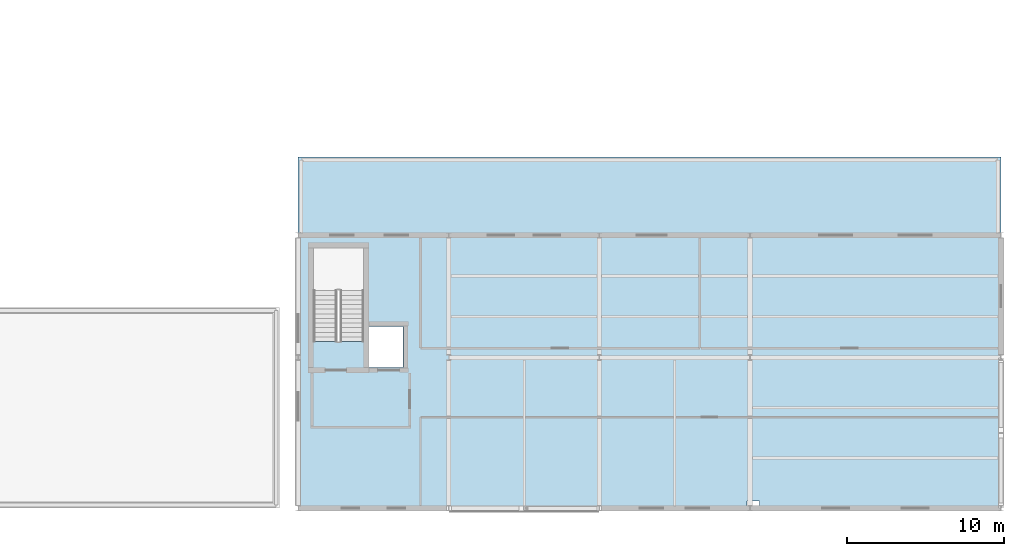
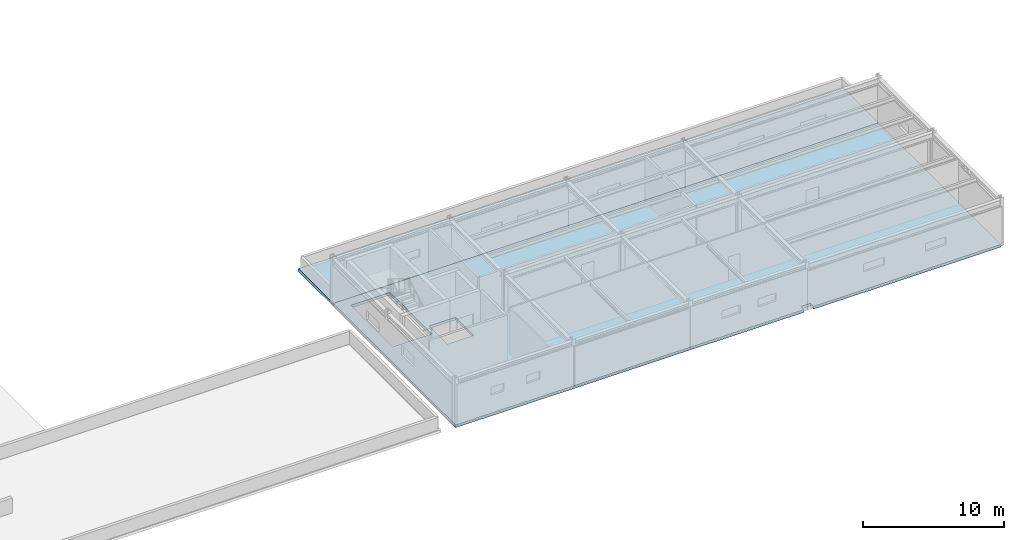
# One storey, part 63 of 88: 2 slabs.
"""IFC4 building model written with IfcOpenShell, lengths in metres."""

from ifc_helpers import new_model, si_unit, direction, frame, origin, place, context, subcontext, project, spatial, polyline, outline, extrude, material, layer, layer_set, type_object, element, save


model = new_model("IFC4")

# Units and contexts
model_context = context("Model", 3, precision=1e-05, world=origin(), true_north=direction((0.0, 1.0)))
body_context = subcontext(model_context, "Body", "Model", "MODEL_VIEW")
ifc_project = project(units=[si_unit("LENGTHUNIT", "METRE"), si_unit("AREAUNIT", "SQUARE_METRE"), si_unit("VOLUMEUNIT", "CUBIC_METRE"), si_unit("PLANEANGLEUNIT", "RADIAN"), si_unit("MASSUNIT", "GRAM", prefix="KILO")], contexts=[model_context])

# Site, building, storey
site_placement = place(None, origin())
site = spatial("IfcSite", under=ifc_project, at=site_placement, CompositionType="ELEMENT")
building_placement = place(site_placement, origin())
building = spatial("IfcBuilding", under=site, at=building_placement, Name="Nordkorset Police Headquarters", CompositionType="ELEMENT")
storey_placement = place(building_placement, frame((0.0, 0.0, 9.449951171875)))
storey = spatial("IfcBuildingStorey", under=building, at=storey_placement, Name="L02", CompositionType="ELEMENT", Elevation=9.449951171875)

# Slabs
ifc_material_1 = material(Name="Concrete C35/45", Category="concrete")
ifc_layer_1 = layer(ifc_material_1, 0.239990234375, Name="Concrete C35/45")
ifc_layer_set_1 = layer_set([ifc_layer_1], Name="Concrete C35/45")
slab_type_1 = type_object("IfcSlabType", Name="Slab_Lab_240", PredefinedType="FLOOR", material=ifc_layer_set_1)
slab_1_placement = place(storey_placement, frame((0.0, 0.0, -0.239990234375)))
element("IfcSlab", 1, at=slab_1_placement, inside=storey, type_object=slab_type_1, Name="Custody Wing Floor Slab V6 L02", PredefinedType="FLOOR", context=body_context, shape_type="SweptSolid", body=[
    extrude(outline(polyline([(171.199951171875, 17.39990234375), (171.199951171875, 0.0), (155.800048828125, 0.0), (155.800048828125, 0.449951171875), (155.0, 0.449951171875), (155.0, 0.0), (126.39990234375, 0.0), (126.39990234375, 17.39990234375), (171.199951171875, 17.39990234375)]), holes=[polyline([(127.375, 16.574951171875), (127.375, 10.6279296875), (130.574951171875, 10.6279296875), (130.574951171875, 16.574951171875), (127.375, 16.574951171875)]), polyline([(133.074951171875, 11.574951171875), (130.925048828125, 11.574951171875), (130.925048828125, 8.97509765625), (133.074951171875, 8.97509765625), (133.074951171875, 11.574951171875)])]), origin(), (0.0, 0.0, 1.0), 0.239990234375),
])
ifc_material_2 = material(Name="Concrete C35/45", Category="concrete")
ifc_layer_2 = layer(ifc_material_2, 0.235107421875, Name="Concrete C35/45")
ifc_layer_set_2 = layer_set([ifc_layer_2], Name="Concrete C35/45")
slab_type_2 = type_object("IfcSlabType", Name="Slab_RoofFlat_235", PredefinedType="ROOF", material=ifc_layer_set_2)
slab_2_placement = place(storey_placement, frame((0.0, 0.0, -0.23486328125)))
element("IfcSlab", 2, at=slab_2_placement, inside=storey, type_object=slab_type_2, Name="Custody Wing Setback Roof Deck", PredefinedType="ROOF", context=body_context, shape_type="SweptSolid", body=[
    extrude(outline(polyline([(126.39990234375, 17.409912109375), (171.199951171875, 17.409912109375), (171.199951171875, 22.39990234375), (126.39990234375, 22.39990234375), (126.39990234375, 17.409912109375)])), origin(), (0.0, 0.0, 1.0), 0.23486328125),
])

save(model, "model.ifc")
